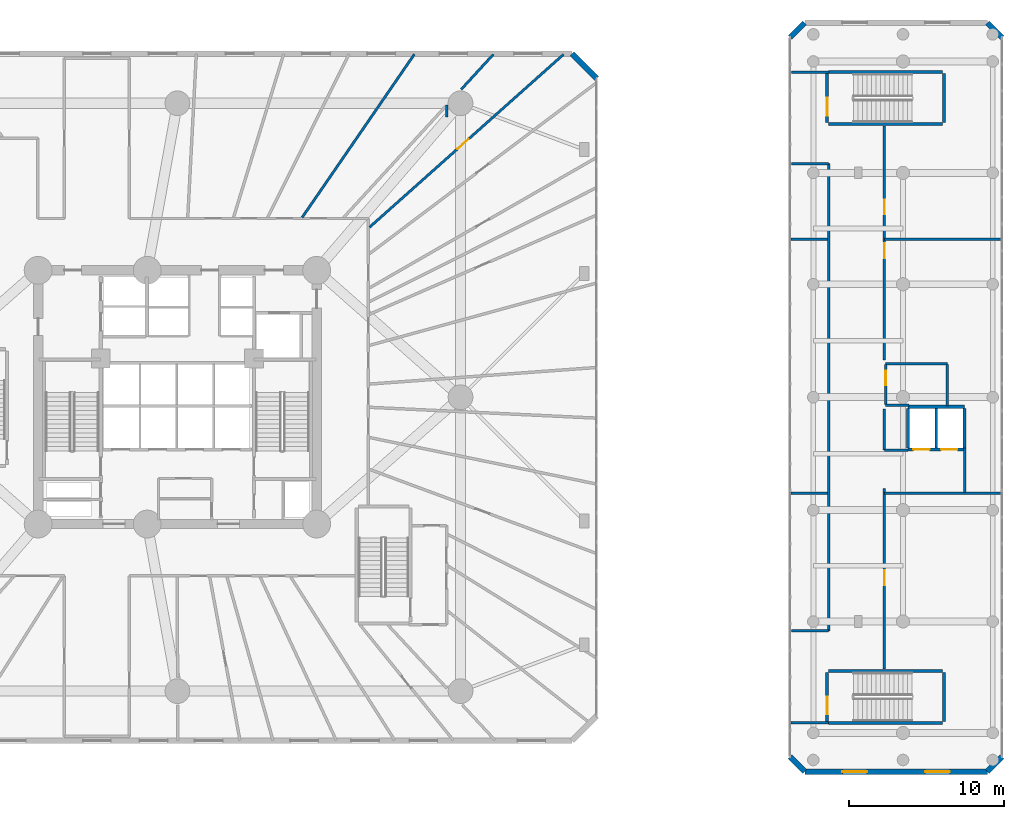
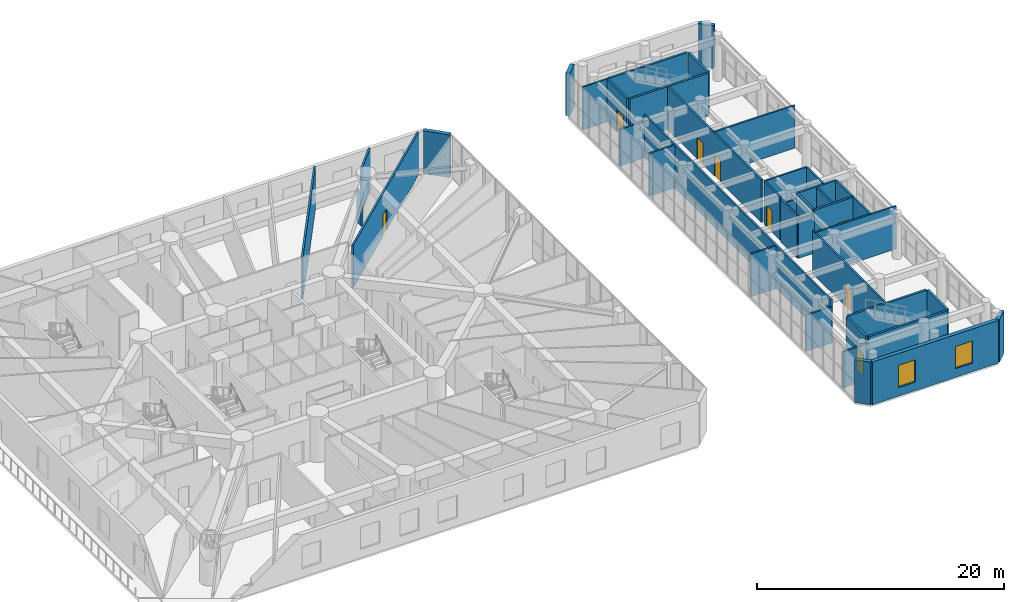
# One storey, part 17 of 24: 41 walls, 9 doors, 2 windows, 11 openings.
"""IFC4 building model written with IfcOpenShell, lengths in metres."""

from ifc_helpers import new_model, si_unit, direction, frame, frame_2d, origin, origin_with_axes, place, context, subcontext, project, spatial, rectangle, extrude, source, transform, mapped, material, layer, layer_set, type_object, element, fill, save


model = new_model("IFC4")

# Units and contexts
model_context = context("Model", 3, precision=1e-05, world=origin(), true_north=direction((0.0, 1.0)))
body_context = subcontext(model_context, "Body", "Model", "MODEL_VIEW")
ifc_project = project(units=[si_unit("LENGTHUNIT", "METRE"), si_unit("AREAUNIT", "SQUARE_METRE"), si_unit("VOLUMEUNIT", "CUBIC_METRE"), si_unit("PLANEANGLEUNIT", "RADIAN"), si_unit("MASSUNIT", "GRAM", prefix="KILO")], contexts=[model_context])

# Site, building, storey
site_placement = place(None, origin())
site = spatial("IfcSite", under=ifc_project, at=site_placement, CompositionType="ELEMENT")
building_placement = place(site_placement, origin())
building = spatial("IfcBuilding", under=site, at=building_placement, Name="Karkom Vertical University and Central Library", CompositionType="ELEMENT")
storey_placement = place(building_placement, frame((0.0, 0.0, 13.5)))
storey = spatial("IfcBuildingStorey", under=building, at=storey_placement, Name="L03", CompositionType="ELEMENT", Elevation=13.5)

# Wall
ifc_material_1 = material(Name="Brick masonry 360mm insulated cavity", Category="masonry")
ifc_layer_1 = layer(ifc_material_1, 0.360107421875)
ifc_layer_set_1 = layer_set([ifc_layer_1], Name="Brick masonry 360mm insulated cavity")
wall_type_1 = type_object("IfcWallType", Name="ENV-WL-BRK-360", PredefinedType="SOLIDWALL", material=ifc_layer_set_1)
wall_1_placement = place(storey_placement, frame((55.60009765625, 47.10009765625, 0.0), z_axis=(0.0, 0.0, 1.0), x_axis=(-0.707160727918, 0.707052830339, 0.0)))
element("IfcWall", 1, at=wall_1_placement, inside=storey, type_object=wall_type_1, Name="Level 03 POD Terracotta Brick Facade Wall 04", PredefinedType="SOLIDWALL", context=body_context, shape_type="SweptSolid", body=[
    extrude(rectangle(XDim=2.2626953125, YDim=0.360107421875, at=frame_2d((1.13134765625, 0.0))), origin(), (0.0, 0.0, 1.0), 4.22509765625),
])

# Wall, openings, windows
wall_2_placement = place(storey_placement, frame((69.050048828125, 2.300048828125, 0.0), z_axis=(0.0, 0.0, 1.0), x_axis=(1.0, 0.0, 0.0)))
wall_2 = element("IfcWall", 2, at=wall_2_placement, inside=storey, type_object=wall_type_1, Name="Level 03 LIB Terracotta Brick Facade Wall 01", PredefinedType="SOLIDWALL", context=body_context, shape_type="SweptSolid", body=[
    extrude(rectangle(XDim=11.800048828125, YDim=0.360107421875, at=frame_2d((5.89990234375, 0.0))), origin(), (0.0, 0.0, 1.0), 4.22509765625),
])
opening_1_placement = place(wall_2_placement, frame((2.425048828125, 0.0, 0.85009765625)))
opening_1 = element("IfcOpeningElement", 3, at=opening_1_placement, cuts=wall_2, Name="Opening WN-02", PredefinedType="OPENING", context=body_context, shape_type="SweptSolid", body=[
    extrude(rectangle(XDim=1.60009765625, YDim=2.199951171875, at=frame_2d((0.800048828125, 1.10009765625))), frame((0.0, 0.18994140625, 0.0), z_axis=(0.0, -1.0, 0.0), x_axis=(1.0, 0.0, 0.0)), (0.0, 0.0, 1.0), 0.380126953125),
])
opening_2_placement = place(wall_2_placement, frame((7.77490234375, 0.0, 0.85009765625)))
opening_2 = element("IfcOpeningElement", 4, at=opening_2_placement, cuts=wall_2, Name="Opening WN-02", PredefinedType="OPENING", context=body_context, shape_type="SweptSolid", body=[
    extrude(rectangle(XDim=1.60009765625, YDim=2.199951171875, at=frame_2d((0.800048828125, 1.10009765625))), frame((0.0, 0.18994140625, 0.0), z_axis=(0.0, -1.0, 0.0), x_axis=(1.0, 0.0, 0.0)), (0.0, 0.0, 1.0), 0.380126953125),
])
ifc_material_2 = material(Name="Aluminium thermal-break frame with solar-control IGU", Category="aluminium")
window_type = type_object("IfcWindowType", Name="ENV-WIN-WN-02", PartitioningType="SINGLE_PANEL", PredefinedType="WINDOW", material=ifc_material_2)
shared_shape_1 = source(origin_with_axes(), body_context, "Body", "SweptSolid", [
    extrude(rectangle(XDim=1.60009765625, YDim=2.199951171875, at=frame_2d((0.800048828125, 1.10009765625))), frame((0.0, 0.030029296875, 0.0), z_axis=(0.0, -1.0, 0.0), x_axis=(1.0, 0.0, 0.0)), (0.0, 0.0, 1.0), 0.06005859375),
])
window_1_placement = place(opening_1_placement, origin())
window_1 = element("IfcWindow", 5, at=window_1_placement, inside=storey, type_object=window_type, Name="Level 03 LIB Punched Window 01", OverallHeight=2.199951171875, OverallWidth=1.60009765625, PartitioningType="SINGLE_PANEL", PredefinedType="WINDOW", context=body_context, shape_type="MappedRepresentation", body=[
    mapped(shared_shape_1, transform((0.0, 0.0, 0.0), scale=1.0)),
])
fill(opening_1, window_1)
window_2_placement = place(opening_2_placement, origin())
window_2 = element("IfcWindow", 6, at=window_2_placement, inside=storey, type_object=window_type, Name="Level 03 LIB Punched Window 02", OverallHeight=2.199951171875, OverallWidth=1.60009765625, PartitioningType="SINGLE_PANEL", PredefinedType="WINDOW", context=body_context, shape_type="MappedRepresentation", body=[
    mapped(shared_shape_1, transform((0.0, 0.0, 0.0), scale=1.0)),
])
fill(opening_2, window_2)

# Walls
for number, where, z_axis, x_axis, name in (
    (7, (80.85009765625, 2.300048828125, 0.0), (0.0, 0.0, 1.0), (0.707106781187, 0.707106781187, 0.0), "Level 03 LIB Terracotta Brick Facade Wall 02"),
    (8, (81.800048828125, 49.75, 0.0), (0.0, 0.0, 1.0), (-0.707106781187, 0.707106781187, 0.0), "Level 03 LIB Terracotta Brick Facade Wall 04"),
    (9, (69.050048828125, 50.699951171875, 0.0), (0.0, 0.0, 1.0), (-0.707106781187, -0.707106781187, 0.0), "Level 03 LIB Terracotta Brick Facade Wall 06"),
    (10, (68.10009765625, 3.25, 0.0), (0.0, 0.0, 1.0), (0.707106781187, -0.707106781187, 0.0), "Level 03 LIB Terracotta Brick Facade Wall 08"),
):
    element("IfcWall", number, at=place(storey_placement, frame(where, z_axis=z_axis, x_axis=x_axis)), inside=storey, type_object=wall_type_1, Name=name, PredefinedType="SOLIDWALL", context=body_context, shape_type="SweptSolid", body=[
        extrude(rectangle(XDim=1.343505859375, YDim=0.360107421875, at=frame_2d((0.671875, 0.0))), origin(), (0.0, 0.0, 1.0), 4.22509765625),
    ])
ifc_material_3 = material(Name="Insulated metal-stud drywall 160mm", Category="gypsum")
ifc_layer_2 = layer(ifc_material_3, 0.159912109375)
ifc_layer_set_2 = layer_set([ifc_layer_2], Name="Insulated metal-stud drywall 160mm")
wall_type_2 = type_object("IfcWallType", Name="INT-WL-COR-160", PredefinedType="PARTITIONING", material=ifc_layer_set_2)
wall_3_placement = place(storey_placement, frame((70.60009765625, 11.39990234375, 0.0), z_axis=(0.0, 0.0, 1.0), x_axis=(0.0, 1.0, 0.0)))
element("IfcWall", 11, at=wall_3_placement, inside=storey, type_object=wall_type_2, Name="Level 03 Interior Partition Wall Level 03-LBCW-CW-011", PredefinedType="PARTITIONING", context=body_context, shape_type="SweptSolid", body=[
    extrude(rectangle(XDim=30.2001953125, YDim=0.159912109375, at=frame_2d((15.10009765625, 0.0))), origin(), (0.0, 0.0, 1.0), 4.22509765625),
])

# Wall, opening, door
wall_4_placement = place(storey_placement, frame((40.9208984375, 37.4853515625, 0.0), z_axis=(0.0, 0.0, 1.0), x_axis=(0.746657873384, 0.665208253191, 0.0)))
wall_4 = element("IfcWall", 12, at=wall_4_placement, inside=storey, type_object=wall_type_2, Name="Level 03 Interior Partition Wall Level 03-PODW-27-28-1", PredefinedType="PARTITIONING", context=body_context, shape_type="SweptSolid", body=[
    extrude(rectangle(XDim=16.78857421875, YDim=0.159912109375, at=frame_2d((8.394287109375, 0.0))), origin(), (0.0, 0.0, 1.0), 4.22509765625),
])
opening_3_placement = place(wall_4_placement, frame((7.604248046875, 0.0, 0.0)))
opening_3 = element("IfcOpeningElement", 13, at=opening_3_placement, cuts=wall_4, Name="Opening FD-RM2", PredefinedType="OPENING", context=body_context, shape_type="SweptSolid", body=[
    extrude(rectangle(XDim=0.9599609375, YDim=2.14990234375, at=frame_2d((0.47998046875, 1.074951171875))), frame((0.0, 0.08984375, 0.0), z_axis=(0.0, -1.0, 0.0), x_axis=(1.0, 0.0, 0.0)), (0.0, 0.0, 1.0), 0.179931640625),
])
ifc_material_4 = material(Name="Fire-rated oak veneer door", Category="wood")
door_type_1 = type_object("IfcDoorType", Name="INT-DR-FRM2", OperationType="NOTDEFINED", PredefinedType="DOOR", material=ifc_material_4)
shared_shape_2 = source(origin_with_axes(), body_context, "Body", "SweptSolid", [
    extrude(rectangle(XDim=0.9599609375, YDim=2.14990234375, at=frame_2d((0.47998046875, 1.074951171875))), frame((0.0, 0.02490234375, 0.0), z_axis=(0.0, -1.0, 0.0), x_axis=(1.0, 0.0, 0.0)), (0.0, 0.0, 1.0), 0.050048828125),
])
door_1_placement = place(opening_3_placement, origin())
door_1 = element("IfcDoor", 14, at=door_1_placement, inside=storey, type_object=door_type_1, Name="Level 03 Room Entry Door 827", OperationType="SINGLE_SWING_RIGHT", OverallHeight=2.14990234375, OverallWidth=0.9599609375, PredefinedType="DOOR", context=body_context, shape_type="MappedRepresentation", body=[
    mapped(shared_shape_2, transform((0.0, 0.0, 0.0), scale=1.0)),
])
fill(opening_3, door_1)

# Wall, openings, doors
wall_5_placement = place(storey_placement, frame((74.199951171875, 44.0380859375, 0.0), z_axis=(0.0, 0.0, 1.0), x_axis=(0.0, -1.0, 0.0)))
wall_5 = element("IfcWall", 15, at=wall_5_placement, inside=storey, type_object=wall_type_2, Name="Level 03 Interior Partition Wall Level 03-LBCW-CW-003", PredefinedType="PARTITIONING", context=body_context, shape_type="SweptSolid", body=[
    extrude(rectangle(XDim=15.13818359375, YDim=0.159912109375, at=frame_2d((7.569091796875, 0.0))), origin(), (0.0, 0.0, 1.0), 4.22509765625),
])
opening_4_placement = place(wall_5_placement, frame((7.60009765625, 0.0, 0.0)))
opening_4 = element("IfcOpeningElement", 16, at=opening_4_placement, cuts=wall_5, Name="Opening FD-RM2", PredefinedType="OPENING", context=body_context, shape_type="SweptSolid", body=[
    extrude(rectangle(XDim=0.9599609375, YDim=2.14990234375, at=frame_2d((0.47998046875, 1.074951171875))), frame((0.0, 0.08984375, 0.0), z_axis=(0.0, -1.0, 0.0), x_axis=(1.0, 0.0, 0.0)), (0.0, 0.0, 1.0), 0.179931640625),
])
opening_5_placement = place(wall_5_placement, frame((4.764404296875, 0.0, 0.0)))
opening_5 = element("IfcOpeningElement", 17, at=opening_5_placement, cuts=wall_5, Name="Opening FD-RM2", PredefinedType="OPENING", context=body_context, shape_type="SweptSolid", body=[
    extrude(rectangle(XDim=0.9599609375, YDim=2.14990234375, at=frame_2d((0.47998046875, 1.074951171875))), frame((0.0, 0.08984375, 0.0), z_axis=(0.0, -1.0, 0.0), x_axis=(1.0, 0.0, 0.0)), (0.0, 0.0, 1.0), 0.179931640625),
])
door_2_placement = place(opening_4_placement, origin())
door_2 = element("IfcDoor", 18, at=door_2_placement, inside=storey, type_object=door_type_1, Name="Level 03 Room Entry Door 902", OperationType="SINGLE_SWING_RIGHT", OverallHeight=2.14990234375, OverallWidth=0.9599609375, PredefinedType="DOOR", context=body_context, shape_type="MappedRepresentation", body=[
    mapped(shared_shape_2, transform((0.0, 0.0, 0.0), scale=1.0)),
])
fill(opening_4, door_2)
door_3_placement = place(opening_5_placement, origin())
door_3 = element("IfcDoor", 19, at=door_3_placement, inside=storey, type_object=door_type_1, Name="Level 03 Room Entry Door 903", OperationType="SINGLE_SWING_LEFT", OverallHeight=2.14990234375, OverallWidth=0.9599609375, PredefinedType="DOOR", context=body_context, shape_type="MappedRepresentation", body=[
    mapped(shared_shape_2, transform((0.0, 0.0, 0.0), scale=1.0)),
])
fill(opening_5, door_3)

# Wall
wall_6_placement = place(storey_placement, frame((36.56396484375, 38.11962890625, 0.0), z_axis=(0.0, 0.0, 1.0), x_axis=(0.566648651746, 0.823959529027, 0.0)))
element("IfcWall", 20, at=wall_6_placement, inside=storey, type_object=wall_type_2, Name="Level 03 Interior Partition Wall Level 03-PODW-29-30-1", PredefinedType="PARTITIONING", context=body_context, shape_type="SweptSolid", body=[
    extrude(rectangle(XDim=12.796630859375, YDim=0.159912109375, at=frame_2d((6.3984375, 0.0))), origin(), (0.0, 0.0, 1.0), 4.22509765625),
])

# Wall, opening, door
wall_7_placement = place(storey_placement, frame((74.199951171875, 20.60009765625, 0.0), z_axis=(0.0, 0.0, 1.0), x_axis=(0.0, -1.0, 0.0)))
wall_7 = element("IfcWall", 21, at=wall_7_placement, inside=storey, type_object=wall_type_2, Name="Level 03 Interior Partition Wall Level 03-LBCW-CW-008", PredefinedType="PARTITIONING", context=body_context, shape_type="SweptSolid", body=[
    extrude(rectangle(XDim=11.677978515625, YDim=0.159912109375, at=frame_2d((5.8388671875, 0.0))), origin(), (0.0, 0.0, 1.0), 4.22509765625),
])
opening_6_placement = place(wall_7_placement, frame((5.280029296875, 0.0, 0.0)))
opening_6 = element("IfcOpeningElement", 22, at=opening_6_placement, cuts=wall_7, Name="Opening FD-RM2", PredefinedType="OPENING", context=body_context, shape_type="SweptSolid", body=[
    extrude(rectangle(XDim=0.9599609375, YDim=2.14990234375, at=frame_2d((0.47998046875, 1.074951171875))), frame((0.0, 0.08984375, 0.0), z_axis=(0.0, -1.0, 0.0), x_axis=(1.0, 0.0, 0.0)), (0.0, 0.0, 1.0), 0.179931640625),
])
door_4_placement = place(opening_6_placement, origin())
door_4 = element("IfcDoor", 23, at=door_4_placement, inside=storey, type_object=door_type_1, Name="Level 03 Room Entry Door 901", OperationType="SINGLE_SWING_LEFT", OverallHeight=2.14990234375, OverallWidth=0.9599609375, PredefinedType="DOOR", context=body_context, shape_type="MappedRepresentation", body=[
    mapped(shared_shape_2, transform((0.0, 0.0, 0.0), scale=1.0)),
])
fill(opening_6, door_4)

# Walls
for number, where, z_axis, x_axis, name in (
    (24, (74.199951171875, 20.300048828125, 0.0), (0.0, 0.0, 1.0), (1.0, 0.0, 0.0), "Level 03 Interior Partition Wall Level 03-LW-DIV1E"),
    (25, (74.199951171875, 36.699951171875, 0.0), (0.0, 0.0, 1.0), (1.0, 0.0, 0.0), "Level 03 Interior Partition Wall Level 03-LW-DIV2E"),
):
    element("IfcWall", number, at=place(storey_placement, frame(where, z_axis=z_axis, x_axis=x_axis)), inside=storey, type_object=wall_type_2, Name=name, PredefinedType="PARTITIONING", context=body_context, shape_type="SweptSolid", body=[
        extrude(rectangle(XDim=7.545166015625, YDim=0.159912109375, at=frame_2d((3.7724609375, 0.0))), origin(), (0.0, 0.0, 1.0), 4.22509765625),
    ])
wall_8_placement = place(storey_placement, frame((46.840576171875, 46.389892578125, 0.0), z_axis=(0.0, 0.0, 1.0), x_axis=(0.67620568134, 0.736712886085, 0.0)))
element("IfcWall", 26, at=wall_8_placement, inside=storey, type_object=wall_type_2, Name="Level 03 Interior Partition Wall Level 03-PODW-28-29-2", PredefinedType="PARTITIONING", context=body_context, shape_type="SweptSolid", body=[
    extrude(rectangle(XDim=3.07861328125, YDim=0.159912109375, at=frame_2d((1.539306640625, 0.0))), origin(), (0.0, 0.0, 1.0), 4.22509765625),
])
wall_9_placement = place(storey_placement, frame((74.199951171875, 25.739990234375, 0.0), z_axis=(0.0, 0.0, 1.0), x_axis=(0.0, -1.0, 0.0)))
element("IfcWall", 27, at=wall_9_placement, inside=storey, type_object=wall_type_2, Name="Level 03 Interior Partition Wall Level 03-LBCW-CW-004", PredefinedType="PARTITIONING", context=body_context, shape_type="SweptSolid", body=[
    extrude(rectangle(XDim=2.659912109375, YDim=0.159912109375, at=frame_2d((1.330078125, 0.0))), origin(), (0.0, 0.0, 1.0), 4.22509765625),
])
for number, where, z_axis, x_axis, name in (
    (28, (68.155029296875, 20.300048828125, 0.0), (0.0, 0.0, 1.0), (1.0, 0.0, 0.0), "Level 03 Interior Partition Wall Level 03-LW-DIV1"),
    (29, (68.155029296875, 36.699951171875, 0.0), (0.0, 0.0, 1.0), (1.0, 0.0, 0.0), "Level 03 Interior Partition Wall Level 03-LW-DIV2"),
):
    element("IfcWall", number, at=place(storey_placement, frame(where, z_axis=z_axis, x_axis=x_axis)), inside=storey, type_object=wall_type_2, Name=name, PredefinedType="PARTITIONING", context=body_context, shape_type="SweptSolid", body=[
        extrude(rectangle(XDim=2.3603515625, YDim=0.159912109375, at=frame_2d((1.18017578125, 0.0))), origin(), (0.0, 0.0, 1.0), 4.22509765625),
    ])
wall_10_placement = place(storey_placement, frame((79.39990234375, 23.215087890625, 0.0), z_axis=(0.0, 0.0, 1.0), x_axis=(0.0, -1.0, 0.0)))
element("IfcWall", 30, at=wall_10_placement, inside=storey, type_object=wall_type_2, Name="Level 03 Interior Partition Wall Level 03-LBCW-CW-006", PredefinedType="PARTITIONING", context=body_context, shape_type="SweptSolid", body=[
    extrude(rectangle(XDim=2.859375, YDim=0.159912109375, at=frame_2d((1.4296875, 0.0))), origin(), (0.0, 0.0, 1.0), 4.22509765625),
])
for number, where, z_axis, x_axis, name in (
    (31, (70.60009765625, 41.60009765625, 0.0), (0.0, 0.0, 1.0), (-1.0, 0.0, 0.0), "Level 03 Interior Partition Wall Level 03-LBCW-CW-001"),
    (32, (68.18505859375, 11.39990234375, 0.0), (0.0, 0.0, 1.0), (1.0, 0.0, 0.0), "Level 03 Interior Partition Wall Level 03-LBCW-CW-010"),
):
    element("IfcWall", number, at=place(storey_placement, frame(where, z_axis=z_axis, x_axis=x_axis)), inside=storey, type_object=wall_type_2, Name=name, PredefinedType="PARTITIONING", context=body_context, shape_type="SweptSolid", body=[
        extrude(rectangle(XDim=2.4150390625, YDim=0.159912109375, at=frame_2d((1.20751953125, 0.0))), origin(), (0.0, 0.0, 1.0), 3.574951171875),
    ])
wall_11_placement = place(storey_placement, frame((68.18505859375, 47.5, 0.0), z_axis=(0.0, 0.0, 1.0), x_axis=(1.0, 0.0, 0.0)))
element("IfcWall", 33, at=wall_11_placement, inside=storey, type_object=wall_type_2, Name="Level 03 Interior Partition Wall Level 03-LBCW-CW-002", PredefinedType="PARTITIONING", context=body_context, shape_type="SweptSolid", body=[
    extrude(rectangle(XDim=2.44091796875, YDim=0.159912109375, at=frame_2d((1.220458984375, 0.0))), origin(), (0.0, 0.0, 1.0), 4.22509765625),
])
wall_12_placement = place(storey_placement, frame((70.594970703125, 5.449951171875, 0.0), z_axis=(0.0, 0.0, 1.0), x_axis=(-1.0, 0.0, 0.0)))
element("IfcWall", 34, at=wall_12_placement, inside=storey, type_object=wall_type_2, Name="Level 03 Interior Partition Wall Level 03-LBCW-CW-009", PredefinedType="PARTITIONING", context=body_context, shape_type="SweptSolid", body=[
    extrude(rectangle(XDim=2.44091796875, YDim=0.159912109375, at=frame_2d((1.220458984375, 0.0))), origin(), (0.0, 0.0, 1.0), 3.574951171875),
])
wall_13_placement = place(storey_placement, frame((74.199951171875, 23.080078125, 0.0), z_axis=(0.0, 0.0, 1.0), x_axis=(1.0, 0.0, 0.0)))
element("IfcWall", 35, at=wall_13_placement, inside=storey, type_object=wall_type_2, Name="Level 03 Interior Partition Wall Level 03-LBCW-CW-005", PredefinedType="PARTITIONING", context=body_context, shape_type="SweptSolid", body=[
    extrude(rectangle(XDim=1.51513671875, YDim=0.159912109375, at=frame_2d((0.757568359375, 0.0))), origin(), (0.0, 0.0, 1.0), 3.72509765625),
])
wall_14_placement = place(storey_placement, frame((45.909912109375, 45.37646484375, 0.0), z_axis=(0.0, 0.0, 1.0), x_axis=(0.0, -1.0, 0.0)))
element("IfcWall", 36, at=wall_14_placement, inside=storey, type_object=wall_type_2, Name="Level 03 Interior Partition Wall Level 03-PODW-28-29-1", PredefinedType="PARTITIONING", context=body_context, shape_type="SweptSolid", body=[
    extrude(rectangle(XDim=0.766357421875, YDim=0.159912109375, at=frame_2d((0.38330078125, 0.0))), origin(), (0.0, 0.0, 1.0), 3.27490234375),
])
ifc_material_5 = material(Name="Metal-stud gypsum partition 140mm", Category="gypsum")
ifc_layer_3 = layer(ifc_material_5, 0.139892578125)
ifc_layer_set_3 = layer_set([ifc_layer_3], Name="Metal-stud gypsum partition 140mm")
wall_type_3 = type_object("IfcWallType", Name="INT-WL-SUB-140", PredefinedType="PARTITIONING", material=ifc_layer_set_3)
wall_15_placement = place(storey_placement, frame((74.280029296875, 28.659912109375, 0.0), z_axis=(0.0, 0.0, 1.0), x_axis=(1.0, 0.0, 0.0)))
element("IfcWall", 37, at=wall_15_placement, inside=storey, type_object=wall_type_3, Name="Level 03 Interior Partition Wall Level 03-LW-AWC-N", PredefinedType="PARTITIONING", context=body_context, shape_type="SweptSolid", body=[
    extrude(rectangle(XDim=3.97998046875, YDim=0.139892578125, at=frame_2d((1.989990234375, 0.0))), origin(), (0.0, 0.0, 1.0), 4.22509765625),
])
wall_16_placement = place(storey_placement, frame((78.260009765625, 25.919921875, 0.0), z_axis=(0.0, 0.0, 1.0), x_axis=(0.0, 1.0, 0.0)))
element("IfcWall", 38, at=wall_16_placement, inside=storey, type_object=wall_type_3, Name="Level 03 Interior Partition Wall Level 03-LW-AWC-E", PredefinedType="PARTITIONING", context=body_context, shape_type="SweptSolid", body=[
    extrude(rectangle(XDim=2.7001953125, YDim=0.139892578125, at=frame_2d((1.35009765625, 0.0))), origin(), (0.0, 0.0, 1.0), 4.22509765625),
])

# Wall, opening, door
wall_17_placement = place(storey_placement, frame((74.280029296875, 26.02001953125, 0.0), z_axis=(0.0, 0.0, 1.0), x_axis=(0.0, 1.0, 0.0)))
wall_17 = element("IfcWall", 39, at=wall_17_placement, inside=storey, type_object=wall_type_3, Name="Level 03 Interior Partition Wall Level 03-LW-AWC-W", PredefinedType="PARTITIONING", context=body_context, shape_type="SweptSolid", body=[
    extrude(rectangle(XDim=2.60009765625, YDim=0.139892578125, at=frame_2d((1.300048828125, 0.0))), origin(), (0.0, 0.0, 1.0), 4.22509765625),
])
opening_7_placement = place(wall_17_placement, frame((1.239990234375, 0.0, 0.0)))
opening_7 = element("IfcOpeningElement", 40, at=opening_7_placement, cuts=wall_17, Name="Opening D-WC1", PredefinedType="OPENING", context=body_context, shape_type="SweptSolid", body=[
    extrude(rectangle(XDim=0.93994140625, YDim=2.10009765625, at=frame_2d((0.469970703125, 1.050048828125))), frame((0.0, 0.080078125, 0.0), z_axis=(0.0, -1.0, 0.0), x_axis=(1.0, 0.0, 0.0)), (0.0, 0.0, 1.0), 0.159912109375),
])
ifc_material_6 = material(Name="Fire-rated laminate moisture-resistant door", Category="wood")
door_type_2 = type_object("IfcDoorType", Name="INT-DR-WC1", OperationType="NOTDEFINED", PredefinedType="DOOR", material=ifc_material_6)
shared_shape_3 = source(origin_with_axes(), body_context, "Body", "SweptSolid", [
    extrude(rectangle(XDim=0.93994140625, YDim=2.10009765625, at=frame_2d((0.469970703125, 1.050048828125))), frame((0.0, 0.02490234375, 0.0), z_axis=(0.0, -1.0, 0.0), x_axis=(1.0, 0.0, 0.0)), (0.0, 0.0, 1.0), 0.050048828125),
])
door_5_placement = place(opening_7_placement, origin())
door_5 = element("IfcDoor", 41, at=door_5_placement, inside=storey, type_object=door_type_2, Name="Level 03 Library Accessible WC Door", OperationType="SINGLE_SWING_RIGHT", OverallHeight=2.10009765625, OverallWidth=0.93994140625, PredefinedType="DOOR", context=body_context, shape_type="MappedRepresentation", body=[
    mapped(shared_shape_3, transform((0.0, 0.0, 0.0), scale=1.0)),
])
fill(opening_7, door_5)

# Walls
wall_18_placement = place(storey_placement, frame((74.280029296875, 25.97998046875, 0.0), z_axis=(0.0, 0.0, 1.0), x_axis=(1.0, 0.0, 0.0)))
element("IfcWall", 42, at=wall_18_placement, inside=storey, type_object=wall_type_3, Name="Level 03 Interior Partition Wall Level 03-LW-AWC-S", PredefinedType="PARTITIONING", context=body_context, shape_type="SweptSolid", body=[
    extrude(rectangle(XDim=1.52001953125, YDim=0.139892578125, at=frame_2d((0.760009765625, 0.0))), origin(), (0.0, 0.0, 1.0), 3.574951171875),
])
ifc_layer_4 = layer(ifc_material_5, 0.139892578125)
ifc_layer_set_4 = layer_set([ifc_layer_4], Name="Metal-stud gypsum partition 140mm")
wall_type_4 = type_object("IfcWallType", Name="INT-WL-SUB-140H", PredefinedType="PARTITIONING", material=ifc_layer_set_4)
wall_19_placement = place(storey_placement, frame((77.550048828125, 23.219970703125, 0.0), z_axis=(0.0, 0.0, 1.0), x_axis=(0.0, 1.0, 0.0)))
element("IfcWall", 43, at=wall_19_placement, inside=storey, type_object=wall_type_4, Name="Level 03 Interior Partition Wall Level 03-W-LL-M", PredefinedType="PARTITIONING", context=body_context, shape_type="SweptSolid", body=[
    extrude(rectangle(XDim=2.56005859375, YDim=0.139892578125, at=frame_2d((1.280029296875, 0.0))), origin(), (0.0, 0.0, 1.0), 4.22509765625),
])
ifc_material_7 = material(Name="Concrete C45/55", Category="concrete")
ifc_layer_5 = layer(ifc_material_7, 0.199951171875)
ifc_layer_set_5 = layer_set([ifc_layer_5], Name="Concrete C45/55")
wall_type_5 = type_object("IfcWallType", Name="STR-WL-ST-200", PredefinedType="SHEAR", material=ifc_layer_set_5)
for number, where, z_axis, x_axis, name in (
    (44, (70.60009765625, 5.445068359375, 0.0), (0.0, 0.0, 1.0), (1.0, 0.0, 0.0), "Level 03 Core Shaft Wall Level 03-W-LST1-S"),
    (45, (70.60009765625, 8.81494140625, 0.0), (0.0, 0.0, 1.0), (1.0, 0.0, 0.0), "Level 03 Core Shaft Wall Level 03-W-LST1-N"),
    (46, (70.60009765625, 44.14501953125, 0.0), (0.0, 0.0, 1.0), (1.0, 0.0, 0.0), "Level 03 Core Shaft Wall Level 03-W-LST2-S"),
    (47, (70.60009765625, 47.514892578125, 0.0), (0.0, 0.0, 1.0), (1.0, 0.0, 0.0), "Level 03 Core Shaft Wall Level 03-W-LST2-N"),
):
    element("IfcWall", number, at=place(storey_placement, frame(where, z_axis=z_axis, x_axis=x_axis)), inside=storey, type_object=wall_type_5, Name=name, PredefinedType="SHEAR", context=body_context, shape_type="SweptSolid", body=[
        extrude(rectangle(XDim=7.349853515625, YDim=0.199951171875, at=frame_2d((3.6748046875, 0.0))), origin(), (0.0, 0.0, 1.0), 4.22509765625),
    ])

# Wall, openings, doors
wall_20_placement = place(storey_placement, frame((75.719970703125, 23.1201171875, 0.0), z_axis=(0.0, 0.0, 1.0), x_axis=(1.0, 0.0, 0.0)))
wall_20 = element("IfcWall", 48, at=wall_20_placement, inside=storey, type_object=wall_type_5, Name="Level 03 Core Shaft Wall Level 03-W-LL-S", PredefinedType="SHEAR", context=body_context, shape_type="SweptSolid", body=[
    extrude(rectangle(XDim=3.659912109375, YDim=0.199951171875, at=frame_2d((1.830078125, 0.0))), origin(), (0.0, 0.0, 1.0), 4.22509765625),
])
opening_8_placement = place(wall_20_placement, frame((0.35009765625, 0.0, 0.0)))
opening_8 = element("IfcOpeningElement", 49, at=opening_8_placement, cuts=wall_20, Name="Opening LD-LIB", PredefinedType="OPENING", context=body_context, shape_type="SweptSolid", body=[
    extrude(rectangle(XDim=1.050048828125, YDim=2.14990234375, at=frame_2d((0.52490234375, 1.074951171875))), frame((0.0, 0.10986328125, 0.0), z_axis=(0.0, -1.0, 0.0), x_axis=(1.0, 0.0, 0.0)), (0.0, 0.0, 1.0), 0.219970703125),
])
opening_9_placement = place(wall_20_placement, frame((2.14990234375, 0.0, 0.0)))
opening_9 = element("IfcOpeningElement", 50, at=opening_9_placement, cuts=wall_20, Name="Opening LD-LIB", PredefinedType="OPENING", context=body_context, shape_type="SweptSolid", body=[
    extrude(rectangle(XDim=1.050048828125, YDim=2.14990234375, at=frame_2d((0.52490234375, 1.074951171875))), frame((0.0, 0.10986328125, 0.0), z_axis=(0.0, -1.0, 0.0), x_axis=(1.0, 0.0, 0.0)), (0.0, 0.0, 1.0), 0.219970703125),
])
ifc_material_8 = material(Name="Bronze-anodised lift landing door", Category="metal")
door_type_3 = type_object("IfcDoorType", Name="INT-DR-LD-LIB", OperationType="SLIDING_TO_LEFT", PredefinedType="DOOR", material=ifc_material_8)
shared_shape_4 = source(origin_with_axes(), body_context, "Body", "SweptSolid", [
    extrude(rectangle(XDim=1.050048828125, YDim=2.14990234375, at=frame_2d((0.52490234375, 1.074951171875))), frame((0.0, 0.02490234375, 0.0), z_axis=(0.0, -1.0, 0.0), x_axis=(1.0, 0.0, 0.0)), (0.0, 0.0, 1.0), 0.050048828125),
])
door_6_placement = place(opening_8_placement, origin())
door_6 = element("IfcDoor", 51, at=door_6_placement, inside=storey, type_object=door_type_3, Name="Level 03 Library Lift LIB-L1 Landing Door", OperationType="SLIDING_TO_LEFT", OverallHeight=2.14990234375, OverallWidth=1.050048828125, PredefinedType="DOOR", context=body_context, shape_type="MappedRepresentation", body=[
    mapped(shared_shape_4, transform((0.0, 0.0, 0.0), scale=1.0)),
])
fill(opening_8, door_6)
door_7_placement = place(opening_9_placement, origin())
door_7 = element("IfcDoor", 52, at=door_7_placement, inside=storey, type_object=door_type_3, Name="Level 03 Library Lift LIB-L2 Landing Door", OperationType="SLIDING_TO_RIGHT", OverallHeight=2.14990234375, OverallWidth=1.050048828125, PredefinedType="DOOR", context=body_context, shape_type="MappedRepresentation", body=[
    mapped(shared_shape_4, transform((0.0, 0.0, 0.0), scale=1.0)),
])
fill(opening_9, door_7)

# Wall
wall_21_placement = place(storey_placement, frame((75.719970703125, 25.8798828125, 0.0), z_axis=(0.0, 0.0, 1.0), x_axis=(1.0, 0.0, 0.0)))
element("IfcWall", 53, at=wall_21_placement, inside=storey, type_object=wall_type_5, Name="Level 03 Core Shaft Wall Level 03-W-LL-N", PredefinedType="SHEAR", context=body_context, shape_type="SweptSolid", body=[
    extrude(rectangle(XDim=3.659912109375, YDim=0.199951171875, at=frame_2d((1.830078125, 0.0))), origin(), (0.0, 0.0, 1.0), 4.22509765625),
])

# Wall, opening, door
wall_22_placement = place(storey_placement, frame((70.4951171875, 5.550048828125, 0.0), z_axis=(0.0, 0.0, 1.0), x_axis=(0.0, 1.0, 0.0)))
wall_22 = element("IfcWall", 54, at=wall_22_placement, inside=storey, type_object=wall_type_5, Name="Level 03 Core Shaft Wall Level 03-W-LST1-W", PredefinedType="SHEAR", context=body_context, shape_type="SweptSolid", body=[
    extrude(rectangle(XDim=3.159912109375, YDim=0.199951171875, at=frame_2d((1.580078125, 0.0))), origin(), (0.0, 0.0, 1.0), 4.22509765625),
])
opening_10_placement = place(wall_22_placement, frame((0.449951171875, 0.0, 0.0)))
opening_10 = element("IfcOpeningElement", 55, at=opening_10_placement, cuts=wall_22, Name="Opening FD-ST1", PredefinedType="OPENING", context=body_context, shape_type="SweptSolid", body=[
    extrude(rectangle(XDim=1.14990234375, YDim=2.14990234375, at=frame_2d((0.574951171875, 1.074951171875))), frame((0.0, 0.10986328125, 0.0), z_axis=(0.0, -1.0, 0.0), x_axis=(1.0, 0.0, 0.0)), (0.0, 0.0, 1.0), 0.219970703125),
])
ifc_material_9 = material(Name="Painted steel acoustic fire door", Category="steel")
door_type_4 = type_object("IfcDoorType", Name="INT-DR-ST1", OperationType="NOTDEFINED", PredefinedType="DOOR", material=ifc_material_9)
shared_shape_5 = source(origin_with_axes(), body_context, "Body", "SweptSolid", [
    extrude(rectangle(XDim=1.14990234375, YDim=2.14990234375, at=frame_2d((0.574951171875, 1.074951171875))), frame((0.0, 0.02490234375, 0.0), z_axis=(0.0, -1.0, 0.0), x_axis=(1.0, 0.0, 0.0)), (0.0, 0.0, 1.0), 0.050048828125),
])
door_8_placement = place(opening_10_placement, origin())
door_8 = element("IfcDoor", 56, at=door_8_placement, inside=storey, type_object=door_type_4, Name="Level 03 Library Stair LST1 Door", OperationType="SINGLE_SWING_RIGHT", OverallHeight=2.14990234375, OverallWidth=1.14990234375, PredefinedType="DOOR", context=body_context, shape_type="MappedRepresentation", body=[
    mapped(shared_shape_5, transform((0.0, 0.0, 0.0), scale=1.0)),
])
fill(opening_10, door_8)

# Wall
wall_23_placement = place(storey_placement, frame((78.054931640625, 5.550048828125, 0.0), z_axis=(0.0, 0.0, 1.0), x_axis=(0.0, 1.0, 0.0)))
element("IfcWall", 57, at=wall_23_placement, inside=storey, type_object=wall_type_5, Name="Level 03 Core Shaft Wall Level 03-W-LST1-E", PredefinedType="SHEAR", context=body_context, shape_type="SweptSolid", body=[
    extrude(rectangle(XDim=3.159912109375, YDim=0.199951171875, at=frame_2d((1.580078125, 0.0))), origin(), (0.0, 0.0, 1.0), 4.22509765625),
])

# Wall, opening, door
wall_24_placement = place(storey_placement, frame((70.4951171875, 44.25, 0.0), z_axis=(0.0, 0.0, 1.0), x_axis=(0.0, 1.0, 0.0)))
wall_24 = element("IfcWall", 58, at=wall_24_placement, inside=storey, type_object=wall_type_5, Name="Level 03 Core Shaft Wall Level 03-W-LST2-W", PredefinedType="SHEAR", context=body_context, shape_type="SweptSolid", body=[
    extrude(rectangle(XDim=3.159912109375, YDim=0.199951171875, at=frame_2d((1.580078125, 0.0))), origin(), (0.0, 0.0, 1.0), 4.22509765625),
])
opening_11_placement = place(wall_24_placement, frame((0.449951171875, 0.0, 0.0)))
opening_11 = element("IfcOpeningElement", 59, at=opening_11_placement, cuts=wall_24, Name="Opening FD-ST1", PredefinedType="OPENING", context=body_context, shape_type="SweptSolid", body=[
    extrude(rectangle(XDim=1.14990234375, YDim=2.14990234375, at=frame_2d((0.574951171875, 1.074951171875))), frame((0.0, 0.10986328125, 0.0), z_axis=(0.0, -1.0, 0.0), x_axis=(1.0, 0.0, 0.0)), (0.0, 0.0, 1.0), 0.219970703125),
])
door_9_placement = place(opening_11_placement, origin())
door_9 = element("IfcDoor", 60, at=door_9_placement, inside=storey, type_object=door_type_4, Name="Level 03 Library Stair LST2 Door", OperationType="SINGLE_SWING_LEFT", OverallHeight=2.14990234375, OverallWidth=1.14990234375, PredefinedType="DOOR", context=body_context, shape_type="MappedRepresentation", body=[
    mapped(shared_shape_5, transform((0.0, 0.0, 0.0), scale=1.0)),
])
fill(opening_11, door_9)

# Walls
wall_25_placement = place(storey_placement, frame((78.054931640625, 44.25, 0.0), z_axis=(0.0, 0.0, 1.0), x_axis=(0.0, 1.0, 0.0)))
element("IfcWall", 61, at=wall_25_placement, inside=storey, type_object=wall_type_5, Name="Level 03 Core Shaft Wall Level 03-W-LST2-E", PredefinedType="SHEAR", context=body_context, shape_type="SweptSolid", body=[
    extrude(rectangle(XDim=3.159912109375, YDim=0.199951171875, at=frame_2d((1.580078125, 0.0))), origin(), (0.0, 0.0, 1.0), 4.22509765625),
])
for number, where, z_axis, x_axis, name in (
    (62, (75.719970703125, 23.219970703125, 0.0), (0.0, 0.0, 1.0), (0.0, 1.0, 0.0), "Level 03 Core Shaft Wall Level 03-W-LL-W"),
    (63, (79.3798828125, 23.219970703125, 0.0), (0.0, 0.0, 1.0), (0.0, 1.0, 0.0), "Level 03 Core Shaft Wall Level 03-W-LL-E"),
):
    element("IfcWall", number, at=place(storey_placement, frame(where, z_axis=z_axis, x_axis=x_axis)), inside=storey, type_object=wall_type_5, Name=name, PredefinedType="SHEAR", context=body_context, shape_type="SweptSolid", body=[
        extrude(rectangle(XDim=2.56005859375, YDim=0.199951171875, at=frame_2d((1.280029296875, 0.0))), origin(), (0.0, 0.0, 1.0), 4.22509765625),
    ])

save(model, "model.ifc")
